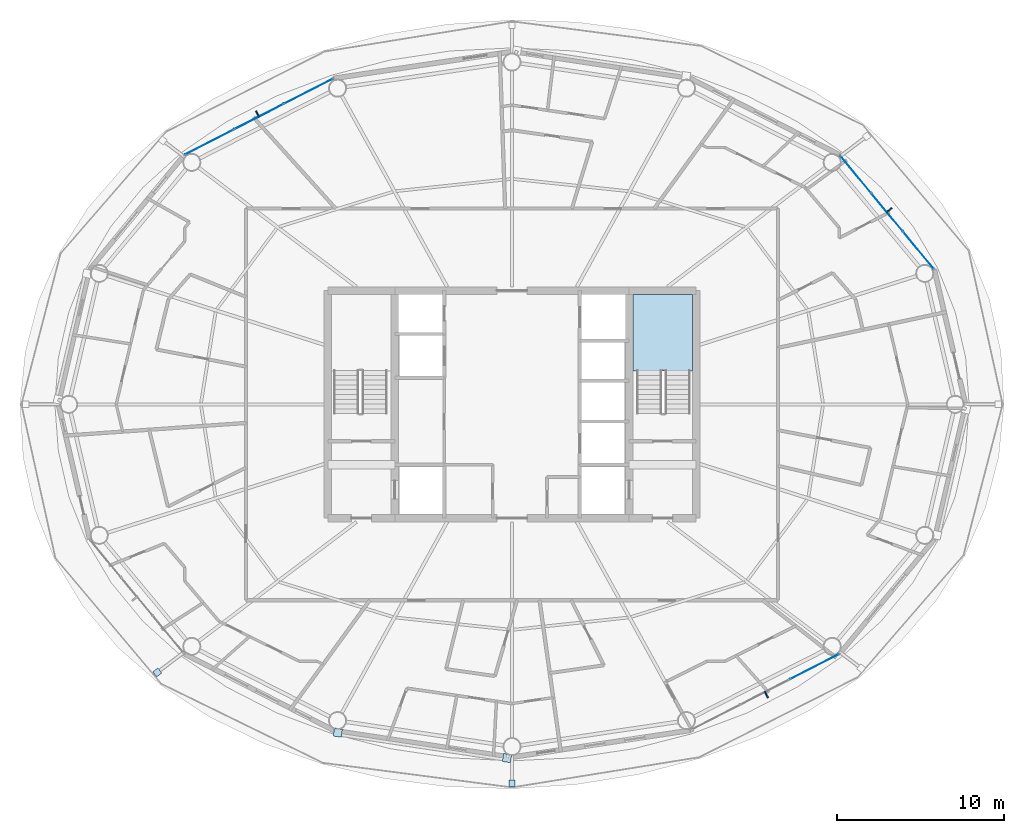
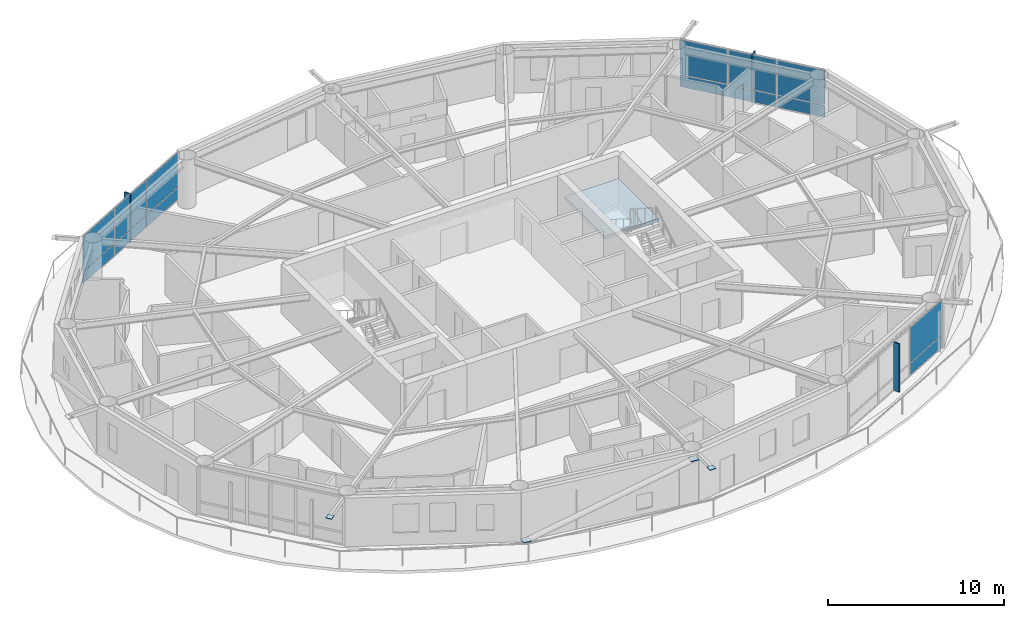
# One storey, part 19 of 30: 21 plates, 1 slab, 4 elements without a shape of their own.
"""IFC4 building model written with IfcOpenShell, lengths in metres."""

from ifc_helpers import new_model, si_unit, direction, frame, origin, origin_2d, place, context, subcontext, project, spatial, polyline, rectangle, outline, extrude, material, layer, layer_set, type_object, element, aggregate, save


model = new_model("IFC4")

# Units and contexts
model_context = context("Model", 3, precision=1e-05, world=origin(), true_north=direction((0.0, 1.0)))
body_context = subcontext(model_context, "Body", "Model", "MODEL_VIEW")
ifc_project = project(units=[si_unit("LENGTHUNIT", "METRE"), si_unit("AREAUNIT", "SQUARE_METRE"), si_unit("VOLUMEUNIT", "CUBIC_METRE"), si_unit("PLANEANGLEUNIT", "RADIAN"), si_unit("MASSUNIT", "GRAM", prefix="KILO")], contexts=[model_context])

# Site, building, storey
site_placement = place(None, origin())
site = spatial("IfcSite", under=ifc_project, at=site_placement, CompositionType="ELEMENT")
building_placement = place(site_placement, origin())
building = spatial("IfcBuilding", under=site, at=building_placement, Name="Sarneth Arch Tower", CompositionType="ELEMENT")
storey_placement = place(building_placement, frame((0.0, 0.0, 161.39990234375)))
storey = spatial("IfcBuildingStorey", under=building, at=storey_placement, Name="L40", CompositionType="ELEMENT", Elevation=161.39990234375)

# Curtain wall, plates
ifc_material_1 = material(Name="Anodised aluminium Type AA25 and solar-control low-e laminated IGU", Category="aluminium")
ifc_layer_1 = layer(ifc_material_1, 0.169921875)
ifc_layer_set_1 = layer_set([ifc_layer_1], Name="Anodised aluminium Type AA25 and solar-control low-e laminated IGU")
curtain_wall_type = type_object("IfcCurtainWallType", Name="CW-RES-MID", PredefinedType="NOTDEFINED", material=ifc_layer_set_1)
curtain_wall_1_placement = place(storey_placement, origin())
curtain_wall_1 = element("IfcCurtainWall", 1, at=curtain_wall_1_placement, inside=storey, type_object=curtain_wall_type, Name="L40 Unitised curtain wall facet 02", PredefinedType="NOTDEFINED")
ifc_material_2 = material(Name="Solar-control low-e laminated IGU", Category="glass")
ifc_layer_2 = layer(ifc_material_2, 0.028076171875)
ifc_layer_set_2 = layer_set([ifc_layer_2], Name="Solar-control low-e laminated IGU")
plate_type_1 = type_object("IfcPlateType", Name="CW-PANEL", PredefinedType="CURTAIN_PANEL", material=ifc_layer_set_2)
plate_1_placement = place(storey_placement, frame((72.280029296875, 51.21826171875, 0.06005859375), z_axis=(0.0, 0.0, 1.0), x_axis=(-0.637330298558, 0.770590741276, 0.0)))
plate_1 = element("IfcPlate", 2, at=plate_1_placement, type_object=plate_type_1, Name="Curtain wall glazed vision pane CW-L40-F02/P00-00", PredefinedType="CURTAIN_PANEL", context=body_context, shape_type="SweptSolid", body=[
    extrude(rectangle(XDim=2.8681640625, YDim=0.028076171875, at=origin_2d()), origin(), (0.0, 0.0, 1.0), 0.81005859375),
])
plate_2_placement = place(storey_placement, frame((72.280029296875, 51.21826171875, 0.93017578125), z_axis=(0.0, 0.0, 1.0), x_axis=(-0.637330298558, 0.770590741276, 0.0)))
plate_2 = element("IfcPlate", 3, at=plate_2_placement, type_object=plate_type_1, Name="Curtain wall glazed vision pane CW-L40-F02/P00-01", PredefinedType="CURTAIN_PANEL", context=body_context, shape_type="SweptSolid", body=[
    extrude(rectangle(XDim=2.8681640625, YDim=0.028076171875, at=origin_2d()), origin(), (0.0, 0.0, 1.0), 2.389892578125),
])
plate_3_placement = place(storey_placement, frame((70.404296875, 53.486328125, 0.06005859375), z_axis=(0.0, 0.0, 1.0), x_axis=(-0.637330298558, 0.770590741276, 0.0)))
plate_3 = element("IfcPlate", 4, at=plate_3_placement, type_object=plate_type_1, Name="Curtain wall glazed vision pane CW-L40-F02/P01-00", PredefinedType="CURTAIN_PANEL", context=body_context, shape_type="SweptSolid", body=[
    extrude(rectangle(XDim=2.898193359375, YDim=0.028076171875, at=origin_2d()), origin(), (0.0, 0.0, 1.0), 0.81005859375),
])
plate_4_placement = place(storey_placement, frame((70.404296875, 53.486328125, 0.93017578125), z_axis=(0.0, 0.0, 1.0), x_axis=(-0.637330298558, 0.770590741276, 0.0)))
plate_4 = element("IfcPlate", 5, at=plate_4_placement, type_object=plate_type_1, Name="Curtain wall glazed vision pane CW-L40-F02/P01-01", PredefinedType="CURTAIN_PANEL", context=body_context, shape_type="SweptSolid", body=[
    extrude(rectangle(XDim=2.898193359375, YDim=0.028076171875, at=origin_2d()), origin(), (0.0, 0.0, 1.0), 2.389892578125),
])
plate_5_placement = place(storey_placement, frame((68.5283203125, 55.75439453125, 0.06005859375), z_axis=(0.0, 0.0, 1.0), x_axis=(-0.637330298558, 0.770590741276, 0.0)))
plate_5 = element("IfcPlate", 6, at=plate_5_placement, type_object=plate_type_1, Name="Curtain wall glazed vision pane CW-L40-F02/P02-00", PredefinedType="CURTAIN_PANEL", context=body_context, shape_type="SweptSolid", body=[
    extrude(rectangle(XDim=2.8681640625, YDim=0.028076171875, at=origin_2d()), origin(), (0.0, 0.0, 1.0), 0.81005859375),
])
plate_6_placement = place(storey_placement, frame((68.5283203125, 55.75439453125, 0.93017578125), z_axis=(0.0, 0.0, 1.0), x_axis=(-0.637330298558, 0.770590741276, 0.0)))
plate_6 = element("IfcPlate", 7, at=plate_6_placement, type_object=plate_type_1, Name="Curtain wall glazed vision pane CW-L40-F02/P02-01", PredefinedType="CURTAIN_PANEL", context=body_context, shape_type="SweptSolid", body=[
    extrude(rectangle(XDim=2.8681640625, YDim=0.028076171875, at=origin_2d()), origin(), (0.0, 0.0, 1.0), 2.389892578125),
])
aggregate(curtain_wall_1, [plate_1, plate_2, plate_3, plate_4, plate_5, plate_6])

curtain_wall_2_placement = place(storey_placement, origin())
curtain_wall_2 = element("IfcCurtainWall", 8, at=curtain_wall_2_placement, inside=storey, type_object=curtain_wall_type, Name="L40 Unitised curtain wall facet 06", PredefinedType="NOTDEFINED")
plate_7_placement = place(storey_placement, frame((35.83837890625, 60.70703125, 0.06005859375), z_axis=(0.0, 0.0, 1.0), x_axis=(-0.88987293003, -0.456208470329, 0.0)))
plate_7 = element("IfcPlate", 9, at=plate_7_placement, type_object=plate_type_1, Name="Curtain wall glazed vision pane CW-L40-F06/P00-00", PredefinedType="CURTAIN_PANEL", context=body_context, shape_type="SweptSolid", body=[
    extrude(rectangle(XDim=3.248779296875, YDim=0.028076171875, at=origin_2d()), origin(), (0.0, 0.0, 1.0), 0.81005859375),
])
plate_8_placement = place(storey_placement, frame((35.83837890625, 60.70703125, 0.93017578125), z_axis=(0.0, 0.0, 1.0), x_axis=(-0.88987293003, -0.456208470329, 0.0)))
plate_8 = element("IfcPlate", 10, at=plate_8_placement, type_object=plate_type_1, Name="Curtain wall glazed vision pane CW-L40-F06/P00-01", PredefinedType="CURTAIN_PANEL", context=body_context, shape_type="SweptSolid", body=[
    extrude(rectangle(XDim=3.248779296875, YDim=0.028076171875, at=origin_2d()), origin(), (0.0, 0.0, 1.0), 2.389892578125),
])
plate_9_placement = place(storey_placement, frame((32.880615234375, 59.190673828125, 0.06005859375), z_axis=(0.0, 0.0, 1.0), x_axis=(-0.88987293003, -0.456208470329, 0.0)))
plate_9 = element("IfcPlate", 11, at=plate_9_placement, type_object=plate_type_1, Name="Curtain wall glazed vision pane CW-L40-F06/P01-00", PredefinedType="CURTAIN_PANEL", context=body_context, shape_type="SweptSolid", body=[
    extrude(rectangle(XDim=3.27880859375, YDim=0.028076171875, at=origin_2d()), origin(), (0.0, 0.0, 1.0), 0.81005859375),
])
plate_10_placement = place(storey_placement, frame((32.880615234375, 59.190673828125, 0.93017578125), z_axis=(0.0, 0.0, 1.0), x_axis=(-0.88987293003, -0.456208470329, 0.0)))
plate_10 = element("IfcPlate", 12, at=plate_10_placement, type_object=plate_type_1, Name="Curtain wall glazed vision pane CW-L40-F06/P01-01", PredefinedType="CURTAIN_PANEL", context=body_context, shape_type="SweptSolid", body=[
    extrude(rectangle(XDim=3.27880859375, YDim=0.028076171875, at=origin_2d()), origin(), (0.0, 0.0, 1.0), 2.389892578125),
])
plate_11_placement = place(storey_placement, frame((29.9228515625, 57.67431640625, 0.06005859375), z_axis=(0.0, 0.0, 1.0), x_axis=(-0.88987293003, -0.456208470329, 0.0)))
plate_11 = element("IfcPlate", 13, at=plate_11_placement, type_object=plate_type_1, Name="Curtain wall glazed vision pane CW-L40-F06/P02-00", PredefinedType="CURTAIN_PANEL", context=body_context, shape_type="SweptSolid", body=[
    extrude(rectangle(XDim=3.248779296875, YDim=0.028076171875, at=origin_2d()), origin(), (0.0, 0.0, 1.0), 0.81005859375),
])
plate_12_placement = place(storey_placement, frame((29.9228515625, 57.67431640625, 0.93017578125), z_axis=(0.0, 0.0, 1.0), x_axis=(-0.88987293003, -0.456208470329, 0.0)))
plate_12 = element("IfcPlate", 14, at=plate_12_placement, type_object=plate_type_1, Name="Curtain wall glazed vision pane CW-L40-F06/P02-01", PredefinedType="CURTAIN_PANEL", context=body_context, shape_type="SweptSolid", body=[
    extrude(rectangle(XDim=3.248779296875, YDim=0.028076171875, at=origin_2d()), origin(), (0.0, 0.0, 1.0), 2.389892578125),
])
aggregate(curtain_wall_2, [plate_7, plate_8, plate_9, plate_10, plate_11, plate_12])

curtain_wall_3_placement = place(storey_placement, origin())
curtain_wall_3 = element("IfcCurtainWall", 15, at=curtain_wall_3_placement, inside=storey, type_object=curtain_wall_type, Name="L40 Unitised curtain wall facet 14", PredefinedType="NOTDEFINED")
plate_13_placement = place(storey_placement, frame((66.0771484375, 26.32568359375, 0.06005859375), z_axis=(0.0, 0.0, 1.0), x_axis=(0.88987293003, 0.456208470329, 0.0)))
plate_13 = element("IfcPlate", 16, at=plate_13_placement, type_object=plate_type_1, Name="Curtain wall glazed vision pane CW-L40-F14/P02-00", PredefinedType="CURTAIN_PANEL", context=body_context, shape_type="SweptSolid", body=[
    extrude(rectangle(XDim=3.248779296875, YDim=0.028076171875, at=origin_2d()), origin(), (0.0, 0.0, 1.0), 0.81005859375),
])
plate_14_placement = place(storey_placement, frame((66.0771484375, 26.32568359375, 0.93017578125), z_axis=(0.0, 0.0, 1.0), x_axis=(0.88987293003, 0.456208470329, 0.0)))
plate_14 = element("IfcPlate", 17, at=plate_14_placement, type_object=plate_type_1, Name="Curtain wall glazed vision pane CW-L40-F14/P02-01", PredefinedType="CURTAIN_PANEL", context=body_context, shape_type="SweptSolid", body=[
    extrude(rectangle(XDim=3.248779296875, YDim=0.028076171875, at=origin_2d()), origin(), (0.0, 0.0, 1.0), 2.389892578125),
])
aggregate(curtain_wall_3, [plate_13, plate_14])

# Plates
ifc_material_3 = material(Name="Steel S355", Category="steel")
ifc_layer_3 = layer(ifc_material_3, 0.035888671875)
ifc_layer_set_3 = layer_set([ifc_layer_3], Name="Steel S355")
plate_type_2 = type_object("IfcPlateType", Name="PLT-GUSSET-30", PredefinedType="SHEET", material=ifc_layer_set_3)
plate_15_placement = place(storey_placement, frame((26.808349609375, 25.984375, 3.2021484375), z_axis=(0.0, 0.0, 1.0), x_axis=(-0.797794439539, -0.602929541689, 0.0)))
element("IfcPlate", 18, at=plate_15_placement, inside=storey, type_object=plate_type_2, Name="Steel end cap plate GP-1", PredefinedType="SHEET", context=body_context, shape_type="SweptSolid", body=[
    extrude(rectangle(XDim=0.3798828125, YDim=0.3798828125, at=origin_2d()), origin(), (0.0, 0.0, 1.0), 0.035888671875),
])
for number, where, z_axis, x_axis, name in (
    (19, (37.595703125, 22.387451171875, 0.001953125), (0.0, 0.0, 1.0), (0.98883454203, -0.149017611339, 0.0), "Steel end cap plate GP-1"),
    (20, (47.703369140625, 20.86474609375, 3.03271484375), (0.0, 0.0, 1.0), (0.98883454203, -0.149017611339, 0.0), "Steel end cap plate GP-1"),
):
    element("IfcPlate", number, at=place(storey_placement, frame(where, z_axis=z_axis, x_axis=x_axis)), inside=storey, type_object=plate_type_2, Name=name, PredefinedType="SHEET", context=body_context, shape_type="SweptSolid", body=[
        extrude(rectangle(XDim=0.486083984375, YDim=0.486083984375, at=origin_2d()), origin(), (0.0, 0.0, 1.0), 0.035888671875),
    ])
plate_16_placement = place(storey_placement, frame((48.0, 19.359130859375, 3.2021484375), z_axis=(0.0, 0.0, 1.0), x_axis=(0.0, -1.0, 0.0)))
element("IfcPlate", 21, at=plate_16_placement, inside=storey, type_object=plate_type_2, Name="Steel end cap plate GP-1", PredefinedType="SHEET", context=body_context, shape_type="SweptSolid", body=[
    extrude(rectangle(XDim=0.3798828125, YDim=0.3798828125, at=origin_2d()), origin(), (0.0, 0.0, 1.0), 0.035888671875),
])
ifc_material_4 = material(Name="Extruded glazed terracotta baguette fin on Aluminium 6063-T6 carrier", Category="masonry")
ifc_layer_4 = layer(ifc_material_4, 0.080078125)
ifc_layer_set_4 = layer_set([ifc_layer_4], Name="Extruded glazed terracotta baguette fin on Aluminium 6063-T6 carrier")
plate_type_3 = type_object("IfcPlateType", Name="SHADE-TERRA-FIN", PredefinedType="SHEET", material=ifc_layer_set_4)
for number, where, z_axis, x_axis, name in (
    (22, (70.53515625, 53.5947265625, 0.01025390625), (0.0, 0.0, 1.0), (0.770624482513, 0.637289500111, 0.0), "L40 Terracotta vertical shading fin 02"),
    (23, (32.802978515625, 59.341796875, 0.01025390625), (0.0, 0.0, 1.0), (-0.456166281949, 0.889894557357, 0.0), "L40 Terracotta vertical shading fin 06"),
    (24, (63.197021484375, 24.658203125, 0.01025390625), (0.0, 0.0, 1.0), (0.456166281949, -0.889894557357, 0.0), "L40 Terracotta vertical shading fin 14"),
):
    element("IfcPlate", number, at=place(storey_placement, frame(where, z_axis=z_axis, x_axis=x_axis)), inside=storey, type_object=plate_type_3, Name=name, PredefinedType="SHEET", context=body_context, shape_type="SweptSolid", body=[
        extrude(rectangle(XDim=0.419921875, YDim=0.080078125, at=origin_2d()), origin(), (0.0, 0.0, 1.0), 3.360107421875),
    ])

# Stair, slab
ifc_material_5 = material(Name="Concrete C50/60", Category="concrete")
stair_type = type_object("IfcStairType", Name="STAIR-CORE-RC", PredefinedType="HALF_TURN_STAIR", material=ifc_material_5)
stair_placement = place(storey_placement, origin())
stair = element("IfcStair", 25, at=stair_placement, inside=storey, type_object=stair_type, Name="L40 Core Exit Stair 2", PredefinedType="HALF_TURN_STAIR")
ifc_material_6 = material(Name="Concrete C50/60", Category="concrete")
ifc_layer_5 = layer(ifc_material_6, 0.199951171875)
ifc_layer_set_5 = layer_set([ifc_layer_5], Name="Concrete C50/60")
slab_type = type_object("IfcSlabType", Name="SLAB-LANDING-200", PredefinedType="LANDING", material=ifc_layer_set_5)
slab_placement = place(storey_placement, frame((0.0, 0.0, 1.60009765625)))
slab = element("IfcSlab", 26, at=slab_placement, type_object=slab_type, Name="ST-2 landing 1", PredefinedType="LANDING", context=body_context, shape_type="SweptSolid", body=[
    extrude(outline(polyline([(55.22509765625, 43.985107421875), (58.77490234375, 43.985107421875), (58.77490234375, 48.574951171875), (55.22509765625, 48.574951171875), (55.22509765625, 43.985107421875)])), origin(), (0.0, 0.0, 1.0), 0.199951171875),
])
aggregate(stair, [slab])

save(model, "model.ifc")
